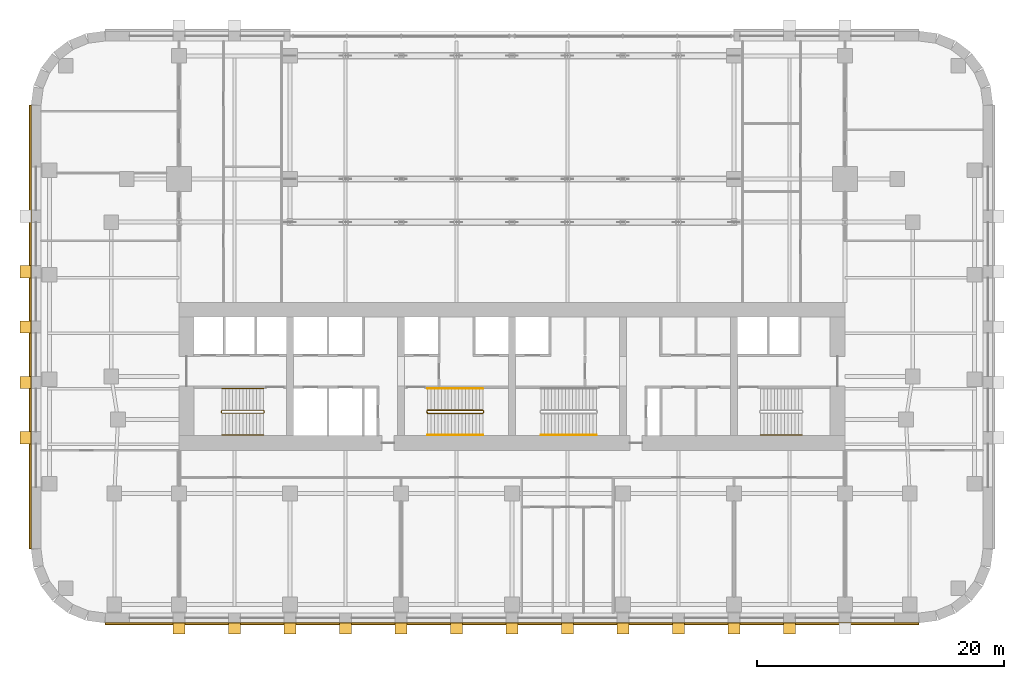
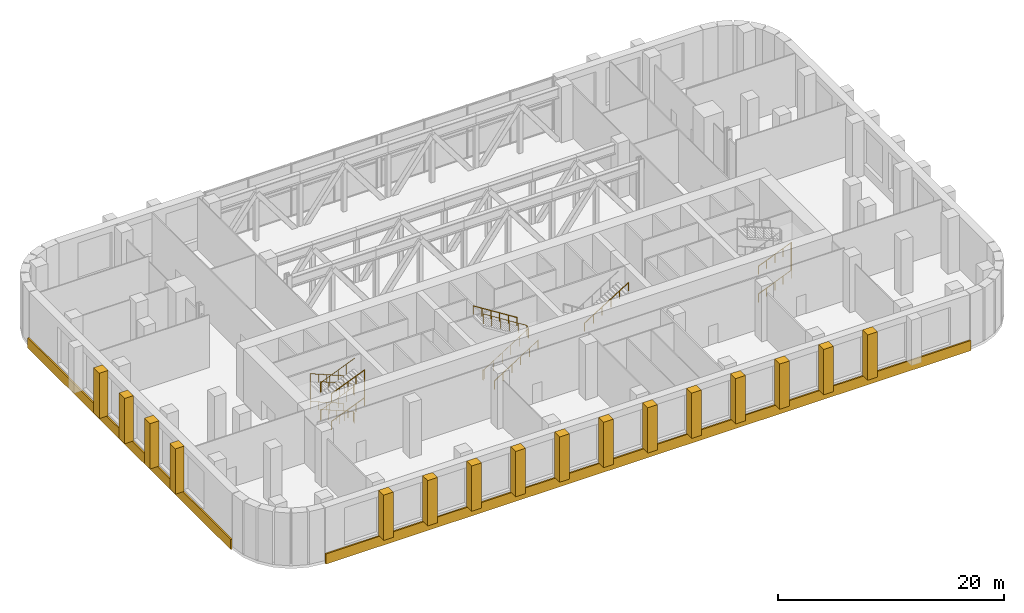
# One storey, part 10 of 13: 18 coverings, 8 railings.
"""IFC4 building model written with IfcOpenShell, lengths in metres."""

from ifc_helpers import new_model, si_unit, direction, frame, origin, origin_2d, place, context, subcontext, project, spatial, polyline, circle, outline, extrude, material, layer, layer_set, type_object, element, save


model = new_model("IFC4")

# Units and contexts
model_context = context("Model", 3, precision=1e-05, world=origin(), true_north=direction((0.0, 1.0)))
body_context = subcontext(model_context, "Body", "Model", "MODEL_VIEW")
ifc_project = project(units=[si_unit("LENGTHUNIT", "METRE"), si_unit("AREAUNIT", "SQUARE_METRE"), si_unit("VOLUMEUNIT", "CUBIC_METRE"), si_unit("PLANEANGLEUNIT", "RADIAN"), si_unit("MASSUNIT", "GRAM", prefix="KILO")], contexts=[model_context])

# Site, building, storey
site_placement = place(None, origin())
site = spatial("IfcSite", under=ifc_project, at=site_placement, CompositionType="ELEMENT")
building_placement = place(site_placement, origin())
building = spatial("IfcBuilding", under=site, at=building_placement, Name="Zellij Exchange Tower", CompositionType="ELEMENT")
storey_placement = place(building_placement, frame((0.0, 0.0, 27.0)))
storey = spatial("IfcBuildingStorey", under=building, at=storey_placement, Name="L04", CompositionType="ELEMENT", Elevation=27.0)

# Railings
ifc_material_1 = material(Name="Stainless steel", Category="steel")
railing_type_1 = type_object("IfcRailingType", Name="CORE-RG stair guard", PredefinedType="GUARDRAIL", material=ifc_material_1)
railing_1_placement = place(storey_placement, frame((-20.10009765625, -10.800048828125, 0.0)))
element("IfcRailing", 1, at=railing_1_placement, inside=storey, type_object=railing_type_1, Name="ST1 stair guard L04", PredefinedType="GUARDRAIL", context=body_context, shape_type="SweptSolid", body=[
    extrude(circle(Radius=0.02392578125, at=origin_2d()), frame((0.0, 0.0, 1.076171875), z_axis=(0.0, -1.0, 0.0), x_axis=(1.0, 0.0, 0.0)), (0.0, 0.0, 1.0), 0.14990234375),
    extrude(circle(Radius=0.02392578125, at=origin_2d()), frame((0.0, -0.14990234375, 1.076171875), z_axis=(-0.210847110147, 0.846489133385, 0.488875897547), x_axis=(-0.970351222016, -0.241699205484, 0.0)), (0.0, 0.0, 1.0), 0.236328125),
    extrude(circle(Radius=0.02392578125, at=origin_2d()), frame((-0.0498046875, 0.050048828125, 1.19140625), z_axis=(-0.924586246868, 0.0, 0.380972797064), x_axis=(0.0, -1.0, 0.0)), (0.0, 0.0, 1.0), 3.63427734375),
    extrude(circle(Radius=0.02392578125, at=origin_2d()), frame((-3.409912109375, 0.050048828125, 2.576171875), z_axis=(-0.707106781187, -0.707106781187, 0.0), x_axis=(0.707106781187, -0.707106781187, 0.0)), (0.0, 0.0, 1.0), 0.07080078125),
    extrude(circle(Radius=0.02392578125, at=origin_2d()), frame((-3.4599609375, 0.0, 2.576171875), z_axis=(0.0, -1.0, 0.0), x_axis=(1.0, 0.0, 0.0)), (0.0, 0.0, 1.0), 0.14990234375),
    extrude(circle(Radius=0.02392578125, at=origin_2d()), frame((-3.4599609375, -0.14990234375, 2.576171875), z_axis=(0.3695169537, -0.3695169537, 0.852592776099), x_axis=(0.707106781187, 0.707106781187, 0.0)), (0.0, 0.0, 1.0), 0.135498046875),
    extrude(circle(Radius=0.02392578125, at=origin_2d()), frame((-3.409912109375, -0.199951171875, 2.69140625), z_axis=(0.924586246868, 0.0, 0.380972797064), x_axis=(0.0, 1.0, 0.0)), (0.0, 0.0, 1.0), 3.63427734375),
    extrude(circle(Radius=0.02392578125, at=origin_2d()), frame((-0.0498046875, -0.199951171875, 4.076171875), z_axis=(0.241699205484, 0.970351222016, 0.0), x_axis=(-0.970351222016, 0.241699205484, 0.0)), (0.0, 0.0, 1.0), 0.2060546875),
    extrude(circle(Radius=0.02392578125, at=origin_2d()), frame((0.0, 0.0, 4.076171875), z_axis=(0.0, -1.0, 0.0), x_axis=(1.0, 0.0, 0.0)), (0.0, 0.0, 1.0), 0.14990234375),
    extrude(circle(Radius=0.02392578125, at=origin_2d()), frame((0.0, -0.14990234375, 4.076171875), z_axis=(-0.210847110147, 0.846489133385, 0.488875897547), x_axis=(-0.970351222016, -0.241699205484, 0.0)), (0.0, 0.0, 1.0), 0.236328125),
    extrude(circle(Radius=0.02392578125, at=origin_2d()), frame((-0.0498046875, 0.050048828125, 4.19140625), z_axis=(-0.924586246868, 0.0, 0.380972797064), x_axis=(0.0, -1.0, 0.0)), (0.0, 0.0, 1.0), 3.63427734375),
    extrude(circle(Radius=0.02392578125, at=origin_2d()), frame((-3.409912109375, 0.050048828125, 5.576171875), z_axis=(-0.707106781187, -0.707106781187, 0.0), x_axis=(0.707106781187, -0.707106781187, 0.0)), (0.0, 0.0, 1.0), 0.07080078125),
    extrude(circle(Radius=0.02392578125, at=origin_2d()), frame((-3.4599609375, 0.0, 5.576171875), z_axis=(0.0, -1.0, 0.0), x_axis=(1.0, 0.0, 0.0)), (0.0, 0.0, 1.0), 0.14990234375),
    extrude(circle(Radius=0.02392578125, at=origin_2d()), frame((-3.4599609375, -0.14990234375, 5.576171875), z_axis=(0.3695169537, -0.3695169537, 0.852592776099), x_axis=(0.707106781187, 0.707106781187, 0.0)), (0.0, 0.0, 1.0), 0.135498046875),
    extrude(circle(Radius=0.02392578125, at=origin_2d()), frame((-3.409912109375, -0.199951171875, 5.69140625), z_axis=(0.924586246868, 0.0, 0.380972797064), x_axis=(0.0, 1.0, 0.0)), (0.0, 0.0, 1.0), 3.63427734375),
    extrude(circle(Radius=0.02099609375, at=origin_2d()), origin(), (0.0, 0.0, 1.0), 1.052001953125),
    extrude(circle(Radius=0.02099609375, at=origin_2d()), frame((0.0, -0.14990234375, 0.0)), (0.0, 0.0, 1.0), 1.052001953125),
    extrude(circle(Radius=0.02099609375, at=origin_2d()), frame((-0.0498046875, 0.050048828125, 0.115478515625)), (0.0, 0.0, 1.0), 1.052001953125),
    extrude(circle(Radius=0.02099609375, at=origin_2d()), frame((-0.889892578125, 0.050048828125, 0.461669921875)), (0.0, 0.0, 1.0), 1.052001953125),
    extrude(circle(Radius=0.02099609375, at=origin_2d()), frame((-1.72998046875, 0.050048828125, 0.8076171875)), (0.0, 0.0, 1.0), 1.052001953125),
    extrude(circle(Radius=0.02099609375, at=origin_2d()), frame((-2.56982421875, 0.050048828125, 1.15380859375)), (0.0, 0.0, 1.0), 1.052001953125),
    extrude(circle(Radius=0.02099609375, at=origin_2d()), frame((-3.409912109375, 0.050048828125, 1.5)), (0.0, 0.0, 1.0), 1.052001953125),
    extrude(circle(Radius=0.02099609375, at=origin_2d()), frame((-3.4599609375, 0.0, 1.5)), (0.0, 0.0, 1.0), 1.052001953125),
    extrude(circle(Radius=0.02099609375, at=origin_2d()), frame((-3.4599609375, -0.14990234375, 1.5)), (0.0, 0.0, 1.0), 1.052001953125),
    extrude(circle(Radius=0.02099609375, at=origin_2d()), frame((-3.409912109375, -0.199951171875, 1.615478515625)), (0.0, 0.0, 1.0), 1.052001953125),
    extrude(circle(Radius=0.02099609375, at=origin_2d()), frame((-2.56982421875, -0.199951171875, 1.961669921875)), (0.0, 0.0, 1.0), 1.052001953125),
    extrude(circle(Radius=0.02099609375, at=origin_2d()), frame((-1.72998046875, -0.199951171875, 2.3076171875)), (0.0, 0.0, 1.0), 1.052001953125),
    extrude(circle(Radius=0.02099609375, at=origin_2d()), frame((-0.889892578125, -0.199951171875, 2.65380859375)), (0.0, 0.0, 1.0), 1.052001953125),
    extrude(circle(Radius=0.02099609375, at=origin_2d()), frame((-0.0498046875, -0.199951171875, 3.0)), (0.0, 0.0, 1.0), 1.052001953125),
    extrude(circle(Radius=0.02099609375, at=origin_2d()), frame((0.0, 0.0, 3.0)), (0.0, 0.0, 1.0), 1.052001953125),
    extrude(circle(Radius=0.02099609375, at=origin_2d()), frame((0.0, -0.14990234375, 3.0)), (0.0, 0.0, 1.0), 1.052001953125),
    extrude(circle(Radius=0.02099609375, at=origin_2d()), frame((-0.0498046875, 0.050048828125, 3.115478515625)), (0.0, 0.0, 1.0), 1.052001953125),
    extrude(circle(Radius=0.02099609375, at=origin_2d()), frame((-0.889892578125, 0.050048828125, 3.461669921875)), (0.0, 0.0, 1.0), 1.052001953125),
    extrude(circle(Radius=0.02099609375, at=origin_2d()), frame((-1.72998046875, 0.050048828125, 3.8076171875)), (0.0, 0.0, 1.0), 1.052001953125),
    extrude(circle(Radius=0.02099609375, at=origin_2d()), frame((-2.56982421875, 0.050048828125, 4.15380859375)), (0.0, 0.0, 1.0), 1.052001953125),
    extrude(circle(Radius=0.02099609375, at=origin_2d()), frame((-3.409912109375, 0.050048828125, 4.5)), (0.0, 0.0, 1.0), 1.052001953125),
    extrude(circle(Radius=0.02099609375, at=origin_2d()), frame((-3.4599609375, 0.0, 4.5)), (0.0, 0.0, 1.0), 1.052001953125),
    extrude(circle(Radius=0.02099609375, at=origin_2d()), frame((-3.4599609375, -0.14990234375, 4.5)), (0.0, 0.0, 1.0), 1.052001953125),
    extrude(circle(Radius=0.02099609375, at=origin_2d()), frame((-3.409912109375, -0.199951171875, 4.615478515625)), (0.0, 0.0, 1.0), 1.052001953125),
    extrude(circle(Radius=0.02099609375, at=origin_2d()), frame((-2.56982421875, -0.199951171875, 4.961669921875)), (0.0, 0.0, 1.0), 1.052001953125),
    extrude(circle(Radius=0.02099609375, at=origin_2d()), frame((-1.72998046875, -0.199951171875, 5.3076171875)), (0.0, 0.0, 1.0), 1.052001953125),
    extrude(circle(Radius=0.02099609375, at=origin_2d()), frame((-0.889892578125, -0.199951171875, 5.65380859375)), (0.0, 0.0, 1.0), 1.052001953125),
    extrude(circle(Radius=0.02099609375, at=origin_2d()), frame((-0.0498046875, -0.199951171875, 6.0)), (0.0, 0.0, 1.0), 1.052001953125),
])
railing_2_placement = place(storey_placement, frame((-6.89990234375, -10.949951171875, 0.0)))
element("IfcRailing", 2, at=railing_2_placement, inside=storey, type_object=railing_type_1, Name="ST2 stair guard L04", PredefinedType="GUARDRAIL", context=body_context, shape_type="SweptSolid", body=[
    extrude(circle(Radius=0.02392578125, at=origin_2d()), frame((0.0, 0.0, 1.076171875), z_axis=(0.0, 1.0, 0.0), x_axis=(-1.0, 0.0, 0.0)), (0.0, 0.0, 1.0), 0.14990234375),
    extrude(circle(Radius=0.02392578125, at=origin_2d()), frame((0.0, 0.14990234375, 1.076171875), z_axis=(0.183560001127, -0.736939416289, 0.650558239288), x_axis=(0.970351222016, 0.241699205484, 0.0)), (0.0, 0.0, 1.0), 0.271240234375),
    extrude(circle(Radius=0.02392578125, at=origin_2d()), frame((0.0498046875, -0.050048828125, 1.25244140625), z_axis=(0.845997938375, 0.0, 0.533186166611), x_axis=(0.0, 1.0, 0.0)), (0.0, 0.0, 1.0), 5.29541015625),
    extrude(circle(Radius=0.02392578125, at=origin_2d()), frame((4.52978515625, -0.050048828125, 4.076171875), z_axis=(0.707106781187, 0.707106781187, 0.0), x_axis=(-0.707106781187, 0.707106781187, 0.0)), (0.0, 0.0, 1.0), 0.07080078125),
    extrude(circle(Radius=0.02392578125, at=origin_2d()), frame((4.579833984375, 0.0, 4.076171875), z_axis=(0.0, 1.0, 0.0), x_axis=(-1.0, 0.0, 0.0)), (0.0, 0.0, 1.0), 0.14990234375),
    extrude(circle(Radius=0.02392578125, at=origin_2d()), frame((4.579833984375, 0.14990234375, 4.076171875), z_axis=(-0.263171338983, 0.263171338983, 0.928160380902), x_axis=(-0.707106781187, -0.707106781187, 0.0)), (0.0, 0.0, 1.0), 0.190185546875),
    extrude(circle(Radius=0.02392578125, at=origin_2d()), frame((4.52978515625, 0.199951171875, 4.25244140625), z_axis=(-0.845997938375, 0.0, 0.533186166611), x_axis=(0.0, -1.0, 0.0)), (0.0, 0.0, 1.0), 5.29541015625),
    extrude(circle(Radius=0.02099609375, at=origin_2d()), origin(), (0.0, 0.0, 1.0), 1.052001953125),
    extrude(circle(Radius=0.02099609375, at=origin_2d()), frame((0.0, 0.14990234375, 0.0)), (0.0, 0.0, 1.0), 1.052001953125),
    extrude(circle(Radius=0.02099609375, at=origin_2d()), frame((0.0498046875, -0.050048828125, 0.176513671875)), (0.0, 0.0, 1.0), 1.052001953125),
    extrude(circle(Radius=0.02099609375, at=origin_2d()), frame((0.94580078125, -0.050048828125, 0.7412109375)), (0.0, 0.0, 1.0), 1.052001953125),
    extrude(circle(Radius=0.02099609375, at=origin_2d()), frame((1.841796875, -0.050048828125, 1.305908203125)), (0.0, 0.0, 1.0), 1.052001953125),
    extrude(circle(Radius=0.02099609375, at=origin_2d()), frame((2.73779296875, -0.050048828125, 1.87060546875)), (0.0, 0.0, 1.0), 1.052001953125),
    extrude(circle(Radius=0.02099609375, at=origin_2d()), frame((3.6337890625, -0.050048828125, 2.435302734375)), (0.0, 0.0, 1.0), 1.052001953125),
    extrude(circle(Radius=0.02099609375, at=origin_2d()), frame((4.52978515625, -0.050048828125, 3.0)), (0.0, 0.0, 1.0), 1.052001953125),
    extrude(circle(Radius=0.02099609375, at=origin_2d()), frame((4.579833984375, 0.0, 3.0)), (0.0, 0.0, 1.0), 1.052001953125),
    extrude(circle(Radius=0.02099609375, at=origin_2d()), frame((4.579833984375, 0.14990234375, 3.0)), (0.0, 0.0, 1.0), 1.052001953125),
    extrude(circle(Radius=0.02099609375, at=origin_2d()), frame((4.52978515625, 0.199951171875, 3.176513671875)), (0.0, 0.0, 1.0), 1.052001953125),
    extrude(circle(Radius=0.02099609375, at=origin_2d()), frame((3.6337890625, 0.199951171875, 3.7412109375)), (0.0, 0.0, 1.0), 1.052001953125),
    extrude(circle(Radius=0.02099609375, at=origin_2d()), frame((2.73779296875, 0.199951171875, 4.305908203125)), (0.0, 0.0, 1.0), 1.052001953125),
    extrude(circle(Radius=0.02099609375, at=origin_2d()), frame((1.841796875, 0.199951171875, 4.87060546875)), (0.0, 0.0, 1.0), 1.052001953125),
    extrude(circle(Radius=0.02099609375, at=origin_2d()), frame((0.94580078125, 0.199951171875, 5.435302734375)), (0.0, 0.0, 1.0), 1.052001953125),
    extrude(circle(Radius=0.02099609375, at=origin_2d()), frame((0.0498046875, 0.199951171875, 6.0)), (0.0, 0.0, 1.0), 1.052001953125),
])
railing_type_2 = type_object("IfcRailingType", Name="CORE-RH stair handrail", PredefinedType="HANDRAIL", material=ifc_material_1)
railing_3_placement = place(storey_placement, frame((-20.14990234375, -9.0, 0.115478515625)))
element("IfcRailing", 3, at=railing_3_placement, inside=storey, type_object=railing_type_2, Name="ST1 stair handrail L04", PredefinedType="HANDRAIL", context=body_context, shape_type="SweptSolid", body=[
    extrude(circle(Radius=0.02392578125, at=origin_2d()), frame((0.0, 0.0, 0.8759765625), z_axis=(-0.924586246868, 0.0, 0.380972797064), x_axis=(0.0, -1.0, 0.0)), (0.0, 0.0, 1.0), 3.63427734375),
    extrude(circle(Radius=0.02392578125, at=origin_2d()), frame((-3.360107421875, 0.0, 2.26025390625), z_axis=(0.0, 0.0, 1.0), x_axis=(1.0, 0.0, 0.0)), (0.0, 0.0, 1.0), 3.0),
    extrude(circle(Radius=0.02392578125, at=origin_2d()), frame((-3.360107421875, 0.0, 5.26025390625), z_axis=(0.924586246868, 0.0, -0.380972797064), x_axis=(0.0, 1.0, 0.0)), (0.0, 0.0, 1.0), 3.63427734375),
    extrude(circle(Radius=0.02099609375, at=origin_2d()), origin(), (0.0, 0.0, 1.0), 0.851806640625),
    extrude(circle(Radius=0.02099609375, at=origin_2d()), frame((-0.840087890625, 0.0, 0.34619140625)), (0.0, 0.0, 1.0), 0.851806640625),
    extrude(circle(Radius=0.02099609375, at=origin_2d()), frame((-1.68017578125, 0.0, 0.6923828125)), (0.0, 0.0, 1.0), 0.851806640625),
    extrude(circle(Radius=0.02099609375, at=origin_2d()), frame((-2.52001953125, 0.0, 1.038330078125)), (0.0, 0.0, 1.0), 0.851806640625),
    extrude(circle(Radius=0.02099609375, at=origin_2d()), frame((-3.360107421875, 0.0, 1.384521484375)), (0.0, 0.0, 1.0), 0.851806640625),
    extrude(circle(Radius=0.02099609375, at=origin_2d()), frame((-3.360107421875, 0.0, 2.384521484375)), (0.0, 0.0, 1.0), 0.851806640625),
    extrude(circle(Radius=0.02099609375, at=origin_2d()), frame((-3.360107421875, 0.0, 3.384521484375)), (0.0, 0.0, 1.0), 0.851806640625),
    extrude(circle(Radius=0.02099609375, at=origin_2d()), frame((-3.360107421875, 0.0, 4.384521484375)), (0.0, 0.0, 1.0), 0.851806640625),
    extrude(circle(Radius=0.02099609375, at=origin_2d()), frame((-2.52001953125, 0.0, 4.038330078125)), (0.0, 0.0, 1.0), 0.851806640625),
    extrude(circle(Radius=0.02099609375, at=origin_2d()), frame((-1.68017578125, 0.0, 3.6923828125)), (0.0, 0.0, 1.0), 0.851806640625),
    extrude(circle(Radius=0.02099609375, at=origin_2d()), frame((-0.840087890625, 0.0, 3.34619140625)), (0.0, 0.0, 1.0), 0.851806640625),
    extrude(circle(Radius=0.02099609375, at=origin_2d()), frame((0.0, 0.0, 3.0)), (0.0, 0.0, 1.0), 0.851806640625),
])
railing_4_placement = place(storey_placement, frame((-23.510009765625, -12.75, 1.615478515625)))
element("IfcRailing", 4, at=railing_4_placement, inside=storey, type_object=railing_type_2, Name="ST1 stair handrail L04", PredefinedType="HANDRAIL", context=body_context, shape_type="SweptSolid", body=[
    extrude(circle(Radius=0.02392578125, at=origin_2d()), frame((0.0, 0.0, 0.8759765625), z_axis=(0.924586246868, 0.0, 0.380972797064), x_axis=(0.0, 1.0, 0.0)), (0.0, 0.0, 1.0), 3.63427734375),
    extrude(circle(Radius=0.02392578125, at=origin_2d()), frame((3.360107421875, 0.0, 2.26025390625), z_axis=(0.0, 0.0, 1.0), x_axis=(1.0, 0.0, 0.0)), (0.0, 0.0, 1.0), 3.0),
    extrude(circle(Radius=0.02392578125, at=origin_2d()), frame((3.360107421875, 0.0, 5.26025390625), z_axis=(-0.924586246868, 0.0, -0.380972797064), x_axis=(0.0, -1.0, 0.0)), (0.0, 0.0, 1.0), 3.63427734375),
    extrude(circle(Radius=0.02099609375, at=origin_2d()), origin(), (0.0, 0.0, 1.0), 0.851806640625),
    extrude(circle(Radius=0.02099609375, at=origin_2d()), frame((0.840087890625, 0.0, 0.34619140625)), (0.0, 0.0, 1.0), 0.851806640625),
    extrude(circle(Radius=0.02099609375, at=origin_2d()), frame((1.68017578125, 0.0, 0.6923828125)), (0.0, 0.0, 1.0), 0.851806640625),
    extrude(circle(Radius=0.02099609375, at=origin_2d()), frame((2.52001953125, 0.0, 1.038330078125)), (0.0, 0.0, 1.0), 0.851806640625),
    extrude(circle(Radius=0.02099609375, at=origin_2d()), frame((3.360107421875, 0.0, 1.384521484375)), (0.0, 0.0, 1.0), 0.851806640625),
    extrude(circle(Radius=0.02099609375, at=origin_2d()), frame((3.360107421875, 0.0, 2.384521484375)), (0.0, 0.0, 1.0), 0.851806640625),
    extrude(circle(Radius=0.02099609375, at=origin_2d()), frame((3.360107421875, 0.0, 3.384521484375)), (0.0, 0.0, 1.0), 0.851806640625),
    extrude(circle(Radius=0.02099609375, at=origin_2d()), frame((3.360107421875, 0.0, 4.384521484375)), (0.0, 0.0, 1.0), 0.851806640625),
    extrude(circle(Radius=0.02099609375, at=origin_2d()), frame((2.52001953125, 0.0, 4.038330078125)), (0.0, 0.0, 1.0), 0.851806640625),
    extrude(circle(Radius=0.02099609375, at=origin_2d()), frame((1.68017578125, 0.0, 3.6923828125)), (0.0, 0.0, 1.0), 0.851806640625),
    extrude(circle(Radius=0.02099609375, at=origin_2d()), frame((0.840087890625, 0.0, 3.34619140625)), (0.0, 0.0, 1.0), 0.851806640625),
    extrude(circle(Radius=0.02099609375, at=origin_2d()), frame((0.0, 0.0, 3.0)), (0.0, 0.0, 1.0), 0.851806640625),
])
railing_5_placement = place(storey_placement, frame((-6.85009765625, -12.75, 0.176513671875)))
element("IfcRailing", 5, at=railing_5_placement, inside=storey, type_object=railing_type_2, Name="ST2 stair handrail L04", PredefinedType="HANDRAIL", context=body_context, shape_type="SweptSolid", body=[
    extrude(circle(Radius=0.02392578125, at=origin_2d()), frame((0.0, 0.0, 0.8759765625), z_axis=(0.845997938375, 0.0, 0.533186166611), x_axis=(0.0, 1.0, 0.0)), (0.0, 0.0, 1.0), 5.29541015625),
    extrude(circle(Radius=0.02099609375, at=origin_2d()), origin(), (0.0, 0.0, 1.0), 0.851806640625),
    extrude(circle(Radius=0.02099609375, at=origin_2d()), frame((0.89599609375, 0.0, 0.564697265625)), (0.0, 0.0, 1.0), 0.851806640625),
    extrude(circle(Radius=0.02099609375, at=origin_2d()), frame((1.7919921875, 0.0, 1.12939453125)), (0.0, 0.0, 1.0), 0.851806640625),
    extrude(circle(Radius=0.02099609375, at=origin_2d()), frame((2.68798828125, 0.0, 1.694091796875)), (0.0, 0.0, 1.0), 0.851806640625),
    extrude(circle(Radius=0.02099609375, at=origin_2d()), frame((3.583984375, 0.0, 2.2587890625)), (0.0, 0.0, 1.0), 0.851806640625),
    extrude(circle(Radius=0.02099609375, at=origin_2d()), frame((4.47998046875, 0.0, 2.823486328125)), (0.0, 0.0, 1.0), 0.851806640625),
])
railing_6_placement = place(storey_placement, frame((-2.3701171875, -9.0, 3.176513671875)))
element("IfcRailing", 6, at=railing_6_placement, inside=storey, type_object=railing_type_2, Name="ST2 stair handrail L04", PredefinedType="HANDRAIL", context=body_context, shape_type="SweptSolid", body=[
    extrude(circle(Radius=0.02392578125, at=origin_2d()), frame((0.0, 0.0, 0.8759765625), z_axis=(-0.845997938375, 0.0, 0.533186166611), x_axis=(0.0, -1.0, 0.0)), (0.0, 0.0, 1.0), 5.29541015625),
    extrude(circle(Radius=0.02099609375, at=origin_2d()), origin(), (0.0, 0.0, 1.0), 0.851806640625),
    extrude(circle(Radius=0.02099609375, at=origin_2d()), frame((-0.89599609375, 0.0, 0.564697265625)), (0.0, 0.0, 1.0), 0.851806640625),
    extrude(circle(Radius=0.02099609375, at=origin_2d()), frame((-1.7919921875, 0.0, 1.12939453125)), (0.0, 0.0, 1.0), 0.851806640625),
    extrude(circle(Radius=0.02099609375, at=origin_2d()), frame((-2.68798828125, 0.0, 1.694091796875)), (0.0, 0.0, 1.0), 0.851806640625),
    extrude(circle(Radius=0.02099609375, at=origin_2d()), frame((-3.583984375, 0.0, 2.2587890625)), (0.0, 0.0, 1.0), 0.851806640625),
    extrude(circle(Radius=0.02099609375, at=origin_2d()), frame((-4.47998046875, 0.0, 2.823486328125)), (0.0, 0.0, 1.0), 0.851806640625),
])
railing_7_placement = place(storey_placement, frame((2.3701171875, -12.75, 3.176513671875)))
element("IfcRailing", 7, at=railing_7_placement, inside=storey, type_object=railing_type_2, Name="ST3 stair handrail L04", PredefinedType="HANDRAIL", context=body_context, shape_type="SweptSolid", body=[
    extrude(circle(Radius=0.02392578125, at=origin_2d()), frame((0.0, 0.0, 0.8759765625), z_axis=(0.845997938375, 0.0, 0.533186166611), x_axis=(0.0, 1.0, 0.0)), (0.0, 0.0, 1.0), 5.29541015625),
    extrude(circle(Radius=0.02099609375, at=origin_2d()), origin(), (0.0, 0.0, 1.0), 0.851806640625),
    extrude(circle(Radius=0.02099609375, at=origin_2d()), frame((0.89599609375, 0.0, 0.564697265625)), (0.0, 0.0, 1.0), 0.851806640625),
    extrude(circle(Radius=0.02099609375, at=origin_2d()), frame((1.7919921875, 0.0, 1.12939453125)), (0.0, 0.0, 1.0), 0.851806640625),
    extrude(circle(Radius=0.02099609375, at=origin_2d()), frame((2.68798828125, 0.0, 1.694091796875)), (0.0, 0.0, 1.0), 0.851806640625),
    extrude(circle(Radius=0.02099609375, at=origin_2d()), frame((3.583984375, 0.0, 2.2587890625)), (0.0, 0.0, 1.0), 0.851806640625),
    extrude(circle(Radius=0.02099609375, at=origin_2d()), frame((4.47998046875, 0.0, 2.823486328125)), (0.0, 0.0, 1.0), 0.851806640625),
])
railing_8_placement = place(storey_placement, frame((20.14990234375, -12.75, 0.115478515625)))
element("IfcRailing", 8, at=railing_8_placement, inside=storey, type_object=railing_type_2, Name="ST4 stair handrail L04", PredefinedType="HANDRAIL", context=body_context, shape_type="SweptSolid", body=[
    extrude(circle(Radius=0.02392578125, at=origin_2d()), frame((0.0, 0.0, 0.8759765625), z_axis=(0.924586246868, 0.0, 0.380972797064), x_axis=(0.0, 1.0, 0.0)), (0.0, 0.0, 1.0), 3.63427734375),
    extrude(circle(Radius=0.02392578125, at=origin_2d()), frame((3.360107421875, 0.0, 2.26025390625), z_axis=(0.0, 0.0, 1.0), x_axis=(1.0, 0.0, 0.0)), (0.0, 0.0, 1.0), 3.0),
    extrude(circle(Radius=0.02392578125, at=origin_2d()), frame((3.360107421875, 0.0, 5.26025390625), z_axis=(-0.924586246868, 0.0, -0.380972797064), x_axis=(0.0, -1.0, 0.0)), (0.0, 0.0, 1.0), 3.63427734375),
    extrude(circle(Radius=0.02099609375, at=origin_2d()), origin(), (0.0, 0.0, 1.0), 0.851806640625),
    extrude(circle(Radius=0.02099609375, at=origin_2d()), frame((0.840087890625, 0.0, 0.34619140625)), (0.0, 0.0, 1.0), 0.851806640625),
    extrude(circle(Radius=0.02099609375, at=origin_2d()), frame((1.68017578125, 0.0, 0.6923828125)), (0.0, 0.0, 1.0), 0.851806640625),
    extrude(circle(Radius=0.02099609375, at=origin_2d()), frame((2.52001953125, 0.0, 1.038330078125)), (0.0, 0.0, 1.0), 0.851806640625),
    extrude(circle(Radius=0.02099609375, at=origin_2d()), frame((3.360107421875, 0.0, 1.384521484375)), (0.0, 0.0, 1.0), 0.851806640625),
    extrude(circle(Radius=0.02099609375, at=origin_2d()), frame((3.360107421875, 0.0, 2.384521484375)), (0.0, 0.0, 1.0), 0.851806640625),
    extrude(circle(Radius=0.02099609375, at=origin_2d()), frame((3.360107421875, 0.0, 3.384521484375)), (0.0, 0.0, 1.0), 0.851806640625),
    extrude(circle(Radius=0.02099609375, at=origin_2d()), frame((3.360107421875, 0.0, 4.384521484375)), (0.0, 0.0, 1.0), 0.851806640625),
    extrude(circle(Radius=0.02099609375, at=origin_2d()), frame((2.52001953125, 0.0, 4.038330078125)), (0.0, 0.0, 1.0), 0.851806640625),
    extrude(circle(Radius=0.02099609375, at=origin_2d()), frame((1.68017578125, 0.0, 3.6923828125)), (0.0, 0.0, 1.0), 0.851806640625),
    extrude(circle(Radius=0.02099609375, at=origin_2d()), frame((0.840087890625, 0.0, 3.34619140625)), (0.0, 0.0, 1.0), 0.851806640625),
    extrude(circle(Radius=0.02099609375, at=origin_2d()), frame((0.0, 0.0, 3.0)), (0.0, 0.0, 1.0), 0.851806640625),
])

# Coverings
ifc_material_2 = material(Name="Limestone cladding", Category="masonry")
ifc_layer = layer(ifc_material_2, 0.14990234375)
ifc_layer_set = layer_set([ifc_layer], Name="Limestone cladding")
covering_type_1 = type_object("IfcCoveringType", Name="ENV-CV1 Stone spandrel band 150", PredefinedType="CLADDING", material=ifc_layer_set)
covering_1_placement = place(storey_placement, frame((0.0, 0.0, -0.300048828125)))
element("IfcCovering", 9, at=covering_1_placement, inside=storey, type_object=covering_type_1, Name="Stone spandrel band", PredefinedType="CLADDING", context=body_context, shape_type="SweptSolid", body=[
    extrude(outline(polyline([(-32.973876953125, -28.0), (32.973876953125, -28.0), (32.983642578125, -28.14990234375), (-32.983642578125, -28.14990234375), (-32.973876953125, -28.0)])), origin(), (0.0, 0.0, 1.0), 1.10009765625),
])
covering_2_placement = place(storey_placement, frame((0.0, 0.0, -0.300048828125)))
element("IfcCovering", 10, at=covering_2_placement, inside=storey, type_object=covering_type_1, Name="Stone spandrel band", PredefinedType="CLADDING", context=body_context, shape_type="SweptSolid", body=[
    extrude(outline(polyline([(-39.0, 13.973876953125), (-39.0, -21.973876953125), (-39.14990234375, -21.983642578125), (-39.14990234375, 13.983642578125), (-39.0, 13.973876953125)])), origin(), (0.0, 0.0, 1.0), 1.10009765625),
])
covering_type_2 = type_object("IfcCoveringType", Name="ENV-CV2 Stone pier 1000x900", PredefinedType="CLADDING", material=ifc_material_2)
covering_3_placement = place(storey_placement, frame((0.0, 0.0, 0.800048828125)))
element("IfcCovering", 11, at=covering_3_placement, inside=storey, type_object=covering_type_2, Name="Stone pier", PredefinedType="CLADDING", context=body_context, shape_type="SweptSolid", body=[
    extrude(outline(polyline([(-27.5, -28.0), (-26.5, -28.0), (-26.5, -28.89990234375), (-27.5, -28.89990234375), (-27.5, -28.0)])), origin(), (0.0, 0.0, 1.0), 4.89990234375),
])
covering_4_placement = place(storey_placement, frame((0.0, 0.0, 0.800048828125)))
element("IfcCovering", 12, at=covering_4_placement, inside=storey, type_object=covering_type_2, Name="Stone pier", PredefinedType="CLADDING", context=body_context, shape_type="SweptSolid", body=[
    extrude(outline(polyline([(-23.0, -28.0), (-22.0, -28.0), (-22.0, -28.89990234375), (-23.0, -28.89990234375), (-23.0, -28.0)])), origin(), (0.0, 0.0, 1.0), 4.89990234375),
])
covering_5_placement = place(storey_placement, frame((0.0, 0.0, 0.800048828125)))
element("IfcCovering", 13, at=covering_5_placement, inside=storey, type_object=covering_type_2, Name="Stone pier", PredefinedType="CLADDING", context=body_context, shape_type="SweptSolid", body=[
    extrude(outline(polyline([(-18.5, -28.0), (-17.5, -28.0), (-17.5, -28.89990234375), (-18.5, -28.89990234375), (-18.5, -28.0)])), origin(), (0.0, 0.0, 1.0), 4.89990234375),
])
covering_6_placement = place(storey_placement, frame((0.0, 0.0, 0.800048828125)))
element("IfcCovering", 14, at=covering_6_placement, inside=storey, type_object=covering_type_2, Name="Stone pier", PredefinedType="CLADDING", context=body_context, shape_type="SweptSolid", body=[
    extrude(outline(polyline([(-14.0, -28.0), (-13.0, -28.0), (-13.0, -28.89990234375), (-14.0, -28.89990234375), (-14.0, -28.0)])), origin(), (0.0, 0.0, 1.0), 4.89990234375),
])
covering_7_placement = place(storey_placement, frame((0.0, 0.0, 0.800048828125)))
element("IfcCovering", 15, at=covering_7_placement, inside=storey, type_object=covering_type_2, Name="Stone pier", PredefinedType="CLADDING", context=body_context, shape_type="SweptSolid", body=[
    extrude(outline(polyline([(-9.5, -28.0), (-8.5, -28.0), (-8.5, -28.89990234375), (-9.5, -28.89990234375), (-9.5, -28.0)])), origin(), (0.0, 0.0, 1.0), 4.89990234375),
])
covering_8_placement = place(storey_placement, frame((0.0, 0.0, 0.800048828125)))
element("IfcCovering", 16, at=covering_8_placement, inside=storey, type_object=covering_type_2, Name="Stone pier", PredefinedType="CLADDING", context=body_context, shape_type="SweptSolid", body=[
    extrude(outline(polyline([(-5.0, -28.0), (-4.0, -28.0), (-4.0, -28.89990234375), (-5.0, -28.89990234375), (-5.0, -28.0)])), origin(), (0.0, 0.0, 1.0), 4.89990234375),
])
covering_9_placement = place(storey_placement, frame((0.0, 0.0, 0.800048828125)))
element("IfcCovering", 17, at=covering_9_placement, inside=storey, type_object=covering_type_2, Name="Stone pier", PredefinedType="CLADDING", context=body_context, shape_type="SweptSolid", body=[
    extrude(outline(polyline([(-0.5, -28.0), (0.5, -28.0), (0.5, -28.89990234375), (-0.5, -28.89990234375), (-0.5, -28.0)])), origin(), (0.0, 0.0, 1.0), 4.89990234375),
])
covering_10_placement = place(storey_placement, frame((0.0, 0.0, 0.800048828125)))
element("IfcCovering", 18, at=covering_10_placement, inside=storey, type_object=covering_type_2, Name="Stone pier", PredefinedType="CLADDING", context=body_context, shape_type="SweptSolid", body=[
    extrude(outline(polyline([(4.0, -28.0), (5.0, -28.0), (5.0, -28.89990234375), (4.0, -28.89990234375), (4.0, -28.0)])), origin(), (0.0, 0.0, 1.0), 4.89990234375),
])
covering_11_placement = place(storey_placement, frame((0.0, 0.0, 0.800048828125)))
element("IfcCovering", 19, at=covering_11_placement, inside=storey, type_object=covering_type_2, Name="Stone pier", PredefinedType="CLADDING", context=body_context, shape_type="SweptSolid", body=[
    extrude(outline(polyline([(8.5, -28.0), (9.5, -28.0), (9.5, -28.89990234375), (8.5, -28.89990234375), (8.5, -28.0)])), origin(), (0.0, 0.0, 1.0), 4.89990234375),
])
covering_12_placement = place(storey_placement, frame((0.0, 0.0, 0.800048828125)))
element("IfcCovering", 20, at=covering_12_placement, inside=storey, type_object=covering_type_2, Name="Stone pier", PredefinedType="CLADDING", context=body_context, shape_type="SweptSolid", body=[
    extrude(outline(polyline([(13.0, -28.0), (14.0, -28.0), (14.0, -28.89990234375), (13.0, -28.89990234375), (13.0, -28.0)])), origin(), (0.0, 0.0, 1.0), 4.89990234375),
])
covering_13_placement = place(storey_placement, frame((0.0, 0.0, 0.800048828125)))
element("IfcCovering", 21, at=covering_13_placement, inside=storey, type_object=covering_type_2, Name="Stone pier", PredefinedType="CLADDING", context=body_context, shape_type="SweptSolid", body=[
    extrude(outline(polyline([(17.5, -28.0), (18.5, -28.0), (18.5, -28.89990234375), (17.5, -28.89990234375), (17.5, -28.0)])), origin(), (0.0, 0.0, 1.0), 4.89990234375),
])
covering_14_placement = place(storey_placement, frame((0.0, 0.0, 0.800048828125)))
element("IfcCovering", 22, at=covering_14_placement, inside=storey, type_object=covering_type_2, Name="Stone pier", PredefinedType="CLADDING", context=body_context, shape_type="SweptSolid", body=[
    extrude(outline(polyline([(22.0, -28.0), (23.0, -28.0), (23.0, -28.89990234375), (22.0, -28.89990234375), (22.0, -28.0)])), origin(), (0.0, 0.0, 1.0), 4.89990234375),
])
covering_15_placement = place(storey_placement, frame((0.0, 0.0, 0.800048828125)))
element("IfcCovering", 23, at=covering_15_placement, inside=storey, type_object=covering_type_2, Name="Stone pier", PredefinedType="CLADDING", context=body_context, shape_type="SweptSolid", body=[
    extrude(outline(polyline([(-39.0, 0.993408203125), (-39.0, -0.006591796875), (-39.89990234375, -0.006591796875), (-39.89990234375, 0.993408203125), (-39.0, 0.993408203125)])), origin(), (0.0, 0.0, 1.0), 4.89990234375),
])
covering_16_placement = place(storey_placement, frame((0.0, 0.0, 0.800048828125)))
element("IfcCovering", 24, at=covering_16_placement, inside=storey, type_object=covering_type_2, Name="Stone pier", PredefinedType="CLADDING", context=body_context, shape_type="SweptSolid", body=[
    extrude(outline(polyline([(-39.0, -3.5), (-39.0, -4.5), (-39.89990234375, -4.5), (-39.89990234375, -3.5), (-39.0, -3.5)])), origin(), (0.0, 0.0, 1.0), 4.89990234375),
])
covering_17_placement = place(storey_placement, frame((0.0, 0.0, 0.800048828125)))
element("IfcCovering", 25, at=covering_17_placement, inside=storey, type_object=covering_type_2, Name="Stone pier", PredefinedType="CLADDING", context=body_context, shape_type="SweptSolid", body=[
    extrude(outline(polyline([(-39.0, -7.993408203125), (-39.0, -8.993408203125), (-39.89990234375, -8.993408203125), (-39.89990234375, -7.993408203125), (-39.0, -7.993408203125)])), origin(), (0.0, 0.0, 1.0), 4.89990234375),
])
covering_18_placement = place(storey_placement, frame((0.0, 0.0, 0.800048828125)))
element("IfcCovering", 26, at=covering_18_placement, inside=storey, type_object=covering_type_2, Name="Stone pier", PredefinedType="CLADDING", context=body_context, shape_type="SweptSolid", body=[
    extrude(outline(polyline([(-39.0, -12.48681640625), (-39.0, -13.48681640625), (-39.89990234375, -13.48681640625), (-39.89990234375, -12.48681640625), (-39.0, -12.48681640625)])), origin(), (0.0, 0.0, 1.0), 4.89990234375),
])

save(model, "model.ifc")
